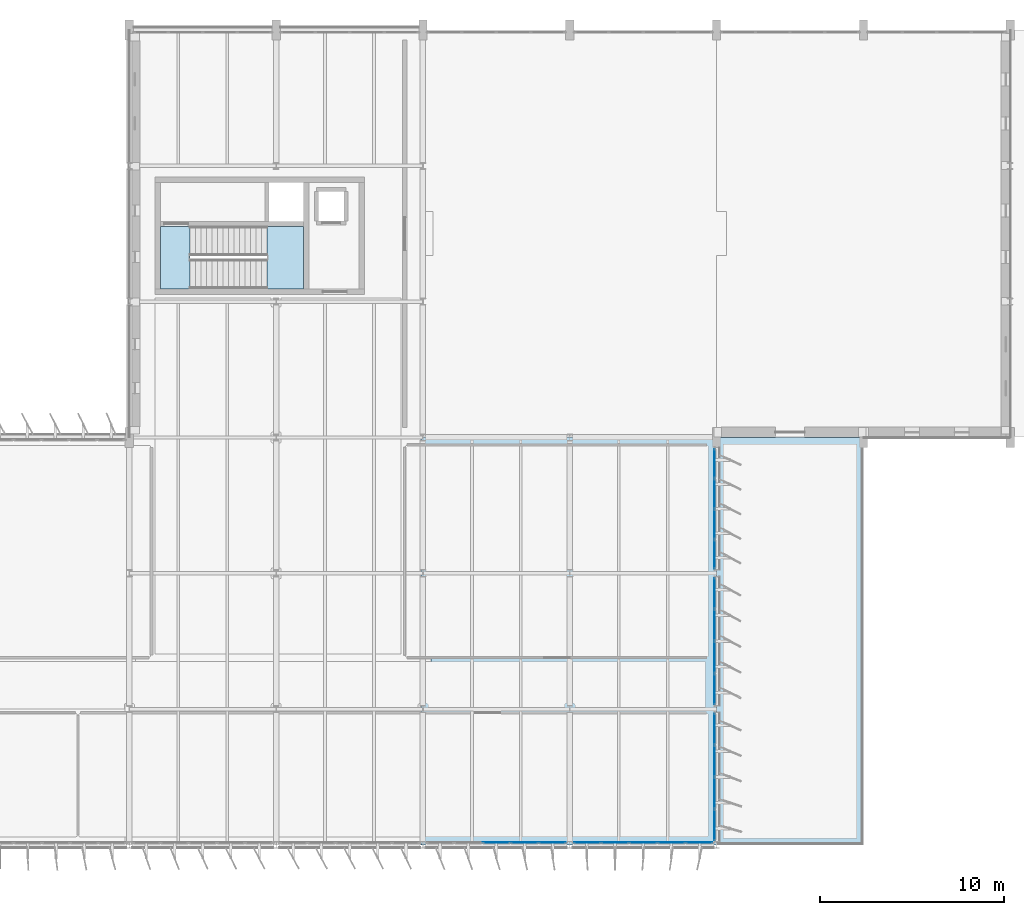
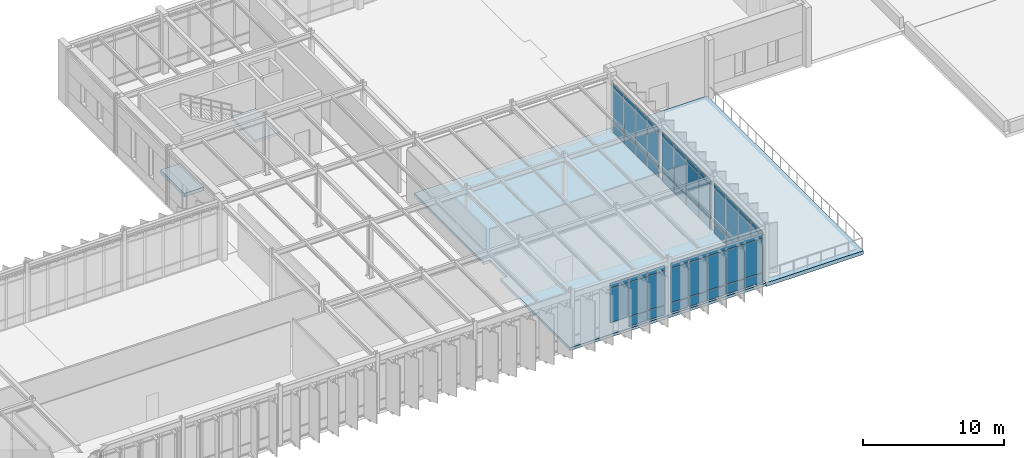
# One storey, part 31 of 48: 59 plates, 4 slabs, 6 elements without a shape of their own.
"""IFC4 building model written with IfcOpenShell, lengths in metres."""

import ifcopenshell
import ifcopenshell.guid

model = None  # the IFC model being written
_history = None  # IfcOwnerHistory: only IFC2X3 demands one
_inside = {}  # id of a spatial element -> (the spatial element, [elements in it])
_under = {}  # id of a project, library or spatial element -> (it, [spatial elements below it])
_declared = {}  # id of a project -> (the project, [libraries it declares])
_typed = {}  # id of a type object -> (the type object, [elements of that type])
_made_of = {}  # id of a material, layer set ... -> (it, [elements and type objects made of it])


def new_model(schema):
    """Start an empty IFC model of exactly this schema.

    Asked for "IFC4X3", IfcOpenShell would pick the latest addendum, in which some entities
    have other attributes; the version numbers below select the first issue.
    IFC2X3 requires an IfcOwnerHistory on every rooted entity: one is made here for all.
    """
    global model, _history
    if schema == "IFC4X3":
        model = ifcopenshell.file(schema_version=(4, 3, 0, 0))
    else:
        model = ifcopenshell.file(schema=schema)
    _inside.clear()
    _under.clear()
    _declared.clear()
    _typed.clear()
    _made_of.clear()
    _history = None
    if model.schema == "IFC2X3":
        org = make("IfcOrganization", Name="unknown")
        user = make(
            "IfcPersonAndOrganization",
            ThePerson=make("IfcPerson", FamilyName="unknown"),
            TheOrganization=org,
        )
        app = make(
            "IfcApplication",
            ApplicationDeveloper=org,
            Version="unknown",
            ApplicationFullName="unknown",
            ApplicationIdentifier="unknown",
        )
        _history = make(
            "IfcOwnerHistory",
            OwningUser=user,
            OwningApplication=app,
            ChangeAction="ADDED",
            CreationDate=0,
        )
    return model


def make(cls, **values):
    """One entity of the class cls with the attributes given. An attribute that is None is left unset."""
    return model.create_entity(
        cls, **{name: value for name, value in values.items() if value is not None}
    )


def rooted(cls, **values):
    """An entity with a GlobalId (a new one), such as an element, a storey or a relation."""
    return make(cls, GlobalId=ifcopenshell.guid.new(), OwnerHistory=_history, **values)


def si_unit(unit_type, name, prefix=None):
    """IfcSIUnit, for example si_unit("LENGTHUNIT", "METRE", prefix="MILLI")."""
    return make("IfcSIUnit", UnitType=unit_type, Prefix=prefix, Name=name)


def assignment(units):
    """IfcUnitAssignment: the units of a project."""
    return None if units is None else make("IfcUnitAssignment", Units=units)


def point(xyz):
    """IfcCartesianPoint."""
    return None if xyz is None else make("IfcCartesianPoint", Coordinates=xyz)


def direction(xyz):
    """IfcDirection."""
    return None if xyz is None else make("IfcDirection", DirectionRatios=xyz)


def frame(location, z_axis=None, x_axis=None):
    """IfcAxis2Placement3D, a coordinate frame: its origin and axes. An axis left out is left unset."""
    return make(
        "IfcAxis2Placement3D",
        Location=point(location),
        Axis=direction(z_axis),
        RefDirection=direction(x_axis),
    )


def frame_2d(location, x_axis=None):
    """IfcAxis2Placement2D, a coordinate frame in the plane: its origin and x axis."""
    return make(
        "IfcAxis2Placement2D", Location=point(location), RefDirection=direction(x_axis)
    )


def origin():
    """The frame at (0, 0, 0) with its axes left unset."""
    return frame((0.0, 0.0, 0.0))


def origin_2d():
    """The frame at (0, 0) in the plane with its x axis left unset."""
    return frame_2d((0.0, 0.0))


def place(relative_to, where):
    """IfcLocalPlacement: puts the frame where relative to a parent placement (None: the world)."""
    return make(
        "IfcLocalPlacement", PlacementRelTo=relative_to, RelativePlacement=where
    )


def context(
    kind, dimensions, precision=None, world=None, true_north=None, identifier=None
):
    """IfcGeometricRepresentationContext, for example the 3D "Model" context."""
    return make(
        "IfcGeometricRepresentationContext",
        ContextIdentifier=identifier,
        ContextType=kind,
        CoordinateSpaceDimension=dimensions,
        Precision=precision,
        WorldCoordinateSystem=world,
        TrueNorth=true_north,
    )


def subcontext(parent, identifier, kind, view, scale=None):
    """IfcGeometricRepresentationSubContext, for example "Body" below "Model"."""
    return make(
        "IfcGeometricRepresentationSubContext",
        ContextIdentifier=identifier,
        ContextType=kind,
        ParentContext=parent,
        TargetScale=scale,
        TargetView=view,
    )


def project(units=None, contexts=None):
    """IfcProject with its units and contexts."""
    return rooted(
        "IfcProject",
        Name="project",
        RepresentationContexts=contexts,
        UnitsInContext=assignment(units),
    )


def spatial(cls, under=None, at=None, **own):
    """A site, building, storey or space (cls), placed at a placement, below another one or the project."""
    s = rooted(cls, ObjectPlacement=at, **own)
    if under is not None:
        _under.setdefault(under.id(), (under, []))[1].append(s)
    return s


def polyline(points):
    """IfcPolyline through the points."""
    return make("IfcPolyline", Points=[point(p) for p in points])


def profile(cls, at=None, kind="AREA", **sizes):
    """A parametric profile (cls). Its sizes go by their IFC names, for example OverallWidth=200.0."""
    return make(cls, ProfileType=kind, Position=at, **sizes)


def rectangle(**sizes):
    """IfcRectangleProfileDef."""
    return profile("IfcRectangleProfileDef", **sizes)


def outline(outer, holes=None, kind="AREA"):
    """IfcArbitraryClosedProfileDef: a profile drawn as a closed curve; with holes, ...WithVoids."""
    if holes is None:
        return make("IfcArbitraryClosedProfileDef", ProfileType=kind, OuterCurve=outer)
    return make(
        "IfcArbitraryProfileDefWithVoids",
        ProfileType=kind,
        OuterCurve=outer,
        InnerCurves=holes,
    )


def extrude(swept, where, along, depth):
    """IfcExtrudedAreaSolid: the profile swept, set in the frame where, extruded along a direction by depth."""
    return make(
        "IfcExtrudedAreaSolid",
        SweptArea=swept,
        Position=where,
        ExtrudedDirection=direction(along),
        Depth=depth,
    )


def shape(context_of_items, identifier, shape_type, items):
    """IfcShapeRepresentation: the items that make up one representation, for example the "Body"."""
    return make(
        "IfcShapeRepresentation",
        ContextOfItems=context_of_items,
        RepresentationIdentifier=identifier,
        RepresentationType=shape_type,
        Items=items,
    )


def material(Name=None, Category=None):
    """IfcMaterial."""
    return make("IfcMaterial", Name=Name, Category=Category)


def layer(
    of_material, thickness, ventilated=None, Name=None, Category=None, Priority=None
):
    """IfcMaterialLayer: one layer of a wall or slab, of a material (None: an air gap)."""
    return make(
        "IfcMaterialLayer",
        Material=of_material,
        LayerThickness=thickness,
        IsVentilated=ventilated,
        Name=Name,
        Category=Category,
        Priority=Priority,
    )


def layer_set(layers, Name=None):
    """IfcMaterialLayerSet."""
    return make("IfcMaterialLayerSet", MaterialLayers=layers, LayerSetName=Name)


def made_of(thing, what):
    """Note that an element or type object is made of a material, layer set ...; save() writes the relation."""
    if what is not None:
        _made_of.setdefault(what.id(), (what, []))[1].append(thing)
    return thing


def type_object(cls, material=None, **own):
    """A type object (cls), such as IfcWallType, which elements share."""
    return made_of(rooted(cls, **own), material)


def element(
    cls,
    number,
    at=None,
    inside=None,
    cuts=None,
    type_object=None,
    material=None,
    context=None,
    identifier="Body",
    shape_type=None,
    held_by="IfcProductDefinitionShape",
    body=None,
    shapes=None,
    **own,
):
    """One element of the class cls, such as IfcWall. Its Tag is "e" and its number.

    at: its placement. inside: the storey or other place that contains it. cuts: it is an
    opening in that element (IfcRelVoidsElement). A single representation is given by context,
    identifier, shape_type and body (its items); several are given by shapes. held_by: the class
    of the entity that holds the representations. save() writes the other relations.
    """
    e = rooted(cls, Tag="e%d" % number, ObjectPlacement=at, **own)
    if body is not None:
        shapes = [shape(context, identifier, shape_type, body)]
    if shapes is not None:
        e.Representation = make(held_by, Representations=shapes)
    if inside is not None:
        _inside.setdefault(inside.id(), (inside, []))[1].append(e)
    if cuts is not None:
        rooted(
            "IfcRelVoidsElement", RelatingBuildingElement=cuts, RelatedOpeningElement=e
        )
    if type_object is not None:
        _typed.setdefault(type_object.id(), (type_object, []))[1].append(e)
    return made_of(e, material)


def aggregate(whole, parts):
    """IfcRelAggregates: a whole, such as a stair, and the parts it consists of."""
    return rooted("IfcRelAggregates", RelatingObject=whole, RelatedObjects=parts)


def save(model, path):
    """Write the relations noted so far, then the file.

    IfcRelAggregates (storeys below a building ...), IfcRelContainedInSpatialStructure (elements
    in a storey), IfcRelDefinesByType, IfcRelAssociatesMaterial and IfcRelDeclares: one each for
    every whole, place, type object, material and project.
    """
    for whole, parts in _under.values():
        aggregate(whole, parts)
    for where, things in _inside.values():
        rooted(
            "IfcRelContainedInSpatialStructure",
            RelatedElements=things,
            RelatingStructure=where,
        )
    for kind, things in _typed.values():
        rooted("IfcRelDefinesByType", RelatedObjects=things, RelatingType=kind)
    for what, things in _made_of.values():
        rooted("IfcRelAssociatesMaterial", RelatedObjects=things, RelatingMaterial=what)
    for by, libraries in _declared.values():
        rooted("IfcRelDeclares", RelatingContext=by, RelatedDefinitions=libraries)
    model.write(path)


model = new_model("IFC4")

# Units and contexts
model_context = context("Model", 3, precision=1e-05, world=origin(), true_north=direction((0.0, 1.0)))
body_context = subcontext(model_context, "Body", "Model", "MODEL_VIEW")
ifc_project = project(units=[si_unit("LENGTHUNIT", "METRE"), si_unit("AREAUNIT", "SQUARE_METRE"), si_unit("VOLUMEUNIT", "CUBIC_METRE"), si_unit("PLANEANGLEUNIT", "RADIAN"), si_unit("MASSUNIT", "GRAM", prefix="KILO")], contexts=[model_context])

# Site, building, storey
site_placement = place(None, origin())
site = spatial("IfcSite", under=ifc_project, at=site_placement, CompositionType="ELEMENT")
building_placement = place(site_placement, origin())
building = spatial("IfcBuilding", under=site, at=building_placement, Name="Valkorina Park Police Headquarters", CompositionType="ELEMENT")
storey_placement = place(building_placement, frame((0.0, 0.0, 18.10009765625)))
storey = spatial("IfcBuildingStorey", under=building, at=storey_placement, Name="L05", CompositionType="ELEMENT", Elevation=18.10009765625)

# Curtain wall, plates
ifc_material_1 = material(Name="Thermally broken aluminium AW-6060", Category="aluminium")
ifc_layer_1 = layer(ifc_material_1, 0.18994140625)
ifc_layer_set_1 = layer_set([ifc_layer_1], Name="Thermally broken aluminium AW-6060")
curtain_wall_type_1 = type_object("IfcCurtainWallType", Name="CW-V5-7680x4410", PredefinedType="NOTDEFINED", material=ifc_layer_set_1)
curtain_wall_1_placement = place(storey_placement, origin())
curtain_wall_1 = element("IfcCurtainWall", 1, at=curtain_wall_1_placement, inside=storey, type_object=curtain_wall_type_1, Name="L05 Unitised Curtain Wall 061", PredefinedType="NOTDEFINED")
ifc_layer_2 = layer(ifc_material_1, 0.050048828125)
ifc_layer_set_2 = layer_set([ifc_layer_2], Name="Thermally broken aluminium AW-6060")
plate_type_1 = type_object("IfcPlateType", Name="PL-CWP-SPANDREL-50", PredefinedType="CURTAIN_PANEL", material=ifc_layer_set_2)
plate_1_placement = place(storey_placement, frame((111.8544921875, 37.1201171875, 0.06982421875), z_axis=(0.0, 0.0, 1.0), x_axis=(-1.0, 0.0, 0.0)))
plate_1 = element("IfcPlate", 2, at=plate_1_placement, type_object=plate_type_1, Name="CW-V5-768-441 panel 1.1", PredefinedType="CURTAIN_PANEL", context=body_context, shape_type="SweptSolid", body=[
    extrude(rectangle(XDim=1.430908203125, YDim=0.028076171875, at=origin_2d()), origin(), (0.0, 0.0, 1.0), 0.794921875),
])
plate_2_placement = place(storey_placement, frame((110.3359375, 37.1201171875, 0.06982421875), z_axis=(0.0, 0.0, 1.0), x_axis=(-1.0, 0.0, 0.0)))
plate_2 = element("IfcPlate", 3, at=plate_2_placement, type_object=plate_type_1, Name="CW-V5-768-441 panel 2.1", PredefinedType="CURTAIN_PANEL", context=body_context, shape_type="SweptSolid", body=[
    extrude(rectangle(XDim=1.466064453125, YDim=0.028076171875, at=origin_2d()), origin(), (0.0, 0.0, 1.0), 0.794921875),
])
plate_3_placement = place(storey_placement, frame((108.800048828125, 37.1201171875, 0.06982421875), z_axis=(0.0, 0.0, 1.0), x_axis=(-1.0, 0.0, 0.0)))
plate_3 = element("IfcPlate", 4, at=plate_3_placement, type_object=plate_type_1, Name="CW-V5-768-441 panel 3.1", PredefinedType="CURTAIN_PANEL", context=body_context, shape_type="SweptSolid", body=[
    extrude(rectangle(XDim=1.466064453125, YDim=0.028076171875, at=origin_2d()), origin(), (0.0, 0.0, 1.0), 0.794921875),
])
plate_4_placement = place(storey_placement, frame((107.263916015625, 37.1201171875, 0.06982421875), z_axis=(0.0, 0.0, 1.0), x_axis=(-1.0, 0.0, 0.0)))
plate_4 = element("IfcPlate", 5, at=plate_4_placement, type_object=plate_type_1, Name="CW-V5-768-441 panel 4.1", PredefinedType="CURTAIN_PANEL", context=body_context, shape_type="SweptSolid", body=[
    extrude(rectangle(XDim=1.466064453125, YDim=0.028076171875, at=origin_2d()), origin(), (0.0, 0.0, 1.0), 0.794921875),
])
plate_5_placement = place(storey_placement, frame((105.74560546875, 37.1201171875, 0.06982421875), z_axis=(0.0, 0.0, 1.0), x_axis=(-1.0, 0.0, 0.0)))
plate_5 = element("IfcPlate", 6, at=plate_5_placement, type_object=plate_type_1, Name="CW-V5-768-441 panel 5.1", PredefinedType="CURTAIN_PANEL", context=body_context, shape_type="SweptSolid", body=[
    extrude(rectangle(XDim=1.430908203125, YDim=0.028076171875, at=origin_2d()), origin(), (0.0, 0.0, 1.0), 0.794921875),
])

curtain_wall_2_placement = place(storey_placement, origin())
curtain_wall_2 = element("IfcCurtainWall", 7, at=curtain_wall_2_placement, inside=storey, type_object=curtain_wall_type_1, Name="L05 Unitised Curtain Wall 062", PredefinedType="NOTDEFINED")
plate_6_placement = place(storey_placement, frame((103.8544921875, 37.1201171875, 0.06982421875), z_axis=(0.0, 0.0, 1.0), x_axis=(-1.0, 0.0, 0.0)))
plate_6 = element("IfcPlate", 8, at=plate_6_placement, type_object=plate_type_1, Name="CW-V5-768-441 panel 1.1", PredefinedType="CURTAIN_PANEL", context=body_context, shape_type="SweptSolid", body=[
    extrude(rectangle(XDim=1.430908203125, YDim=0.028076171875, at=origin_2d()), origin(), (0.0, 0.0, 1.0), 0.794921875),
])
plate_7_placement = place(storey_placement, frame((102.3359375, 37.1201171875, 0.06982421875), z_axis=(0.0, 0.0, 1.0), x_axis=(-1.0, 0.0, 0.0)))
plate_7 = element("IfcPlate", 9, at=plate_7_placement, type_object=plate_type_1, Name="CW-V5-768-441 panel 2.1", PredefinedType="CURTAIN_PANEL", context=body_context, shape_type="SweptSolid", body=[
    extrude(rectangle(XDim=1.466064453125, YDim=0.028076171875, at=origin_2d()), origin(), (0.0, 0.0, 1.0), 0.794921875),
])

ifc_layer_3 = layer(ifc_material_1, 0.18994140625)
ifc_layer_set_3 = layer_set([ifc_layer_3], Name="Thermally broken aluminium AW-6060")
curtain_wall_type_2 = type_object("IfcCurtainWallType", Name="CW-V5-6650x4410", PredefinedType="NOTDEFINED", material=ifc_layer_set_3)
curtain_wall_3_placement = place(storey_placement, origin())
curtain_wall_3 = element("IfcCurtainWall", 10, at=curtain_wall_3_placement, inside=storey, type_object=curtain_wall_type_2, Name="L05 Unitised Curtain Wall 094", PredefinedType="NOTDEFINED")
plate_8_placement = place(storey_placement, frame((112.679931640625, 57.791259765625, 0.06982421875), z_axis=(0.0, 0.0, 1.0), x_axis=(0.0, -1.0, 0.0)))
plate_8 = element("IfcPlate", 11, at=plate_8_placement, type_object=plate_type_1, Name="CW-V5-665-441 panel 1.1", PredefinedType="CURTAIN_PANEL", context=body_context, shape_type="SweptSolid", body=[
    extrude(rectangle(XDim=1.5576171875, YDim=0.028076171875, at=origin_2d()), origin(), (0.0, 0.0, 1.0), 0.794921875),
])
plate_9_placement = place(storey_placement, frame((112.679931640625, 56.146240234375, 0.06982421875), z_axis=(0.0, 0.0, 1.0), x_axis=(0.0, -1.0, 0.0)))
plate_9 = element("IfcPlate", 12, at=plate_9_placement, type_object=plate_type_1, Name="CW-V5-665-441 panel 2.1", PredefinedType="CURTAIN_PANEL", context=body_context, shape_type="SweptSolid", body=[
    extrude(rectangle(XDim=1.592529296875, YDim=0.028076171875, at=origin_2d()), origin(), (0.0, 0.0, 1.0), 0.794921875),
])
plate_10_placement = place(storey_placement, frame((112.679931640625, 54.483642578125, 0.06982421875), z_axis=(0.0, 0.0, 1.0), x_axis=(0.0, -1.0, 0.0)))
plate_10 = element("IfcPlate", 13, at=plate_10_placement, type_object=plate_type_1, Name="CW-V5-665-441 panel 3.1", PredefinedType="CURTAIN_PANEL", context=body_context, shape_type="SweptSolid", body=[
    extrude(rectangle(XDim=1.592529296875, YDim=0.028076171875, at=origin_2d()), origin(), (0.0, 0.0, 1.0), 0.794921875),
])
plate_11_placement = place(storey_placement, frame((112.679931640625, 52.8388671875, 0.06982421875), z_axis=(0.0, 0.0, 1.0), x_axis=(0.0, -1.0, 0.0)))
plate_11 = element("IfcPlate", 14, at=plate_11_placement, type_object=plate_type_1, Name="CW-V5-665-441 panel 4.1", PredefinedType="CURTAIN_PANEL", context=body_context, shape_type="SweptSolid", body=[
    extrude(rectangle(XDim=1.5576171875, YDim=0.028076171875, at=origin_2d()), origin(), (0.0, 0.0, 1.0), 0.794921875),
])

ifc_layer_4 = layer(ifc_material_1, 0.18994140625)
ifc_layer_set_4 = layer_set([ifc_layer_4], Name="Thermally broken aluminium AW-6060")
curtain_wall_type_3 = type_object("IfcCurtainWallType", Name="CW-V5-7020x4410", PredefinedType="NOTDEFINED", material=ifc_layer_set_4)
curtain_wall_4_placement = place(storey_placement, origin())
curtain_wall_4 = element("IfcCurtainWall", 15, at=curtain_wall_4_placement, inside=storey, type_object=curtain_wall_type_3, Name="L05 Unitised Curtain Wall 095", PredefinedType="NOTDEFINED")
plate_12_placement = place(storey_placement, frame((112.679931640625, 50.715087890625, 0.06982421875), z_axis=(0.0, 0.0, 1.0), x_axis=(0.0, -1.0, 0.0)))
plate_12 = element("IfcPlate", 16, at=plate_12_placement, type_object=plate_type_1, Name="CW-V5-702-441 panel 1.1", PredefinedType="CURTAIN_PANEL", context=body_context, shape_type="SweptSolid", body=[
    extrude(rectangle(XDim=1.64990234375, YDim=0.028076171875, at=origin_2d()), origin(), (0.0, 0.0, 1.0), 0.794921875),
])
plate_13_placement = place(storey_placement, frame((112.679931640625, 48.9775390625, 0.06982421875), z_axis=(0.0, 0.0, 1.0), x_axis=(0.0, -1.0, 0.0)))
plate_13 = element("IfcPlate", 17, at=plate_13_placement, type_object=plate_type_1, Name="CW-V5-702-441 panel 2.1", PredefinedType="CURTAIN_PANEL", context=body_context, shape_type="SweptSolid", body=[
    extrude(rectangle(XDim=1.68505859375, YDim=0.028076171875, at=origin_2d()), origin(), (0.0, 0.0, 1.0), 0.794921875),
])
plate_14_placement = place(storey_placement, frame((112.679931640625, 47.222412109375, 0.06982421875), z_axis=(0.0, 0.0, 1.0), x_axis=(0.0, -1.0, 0.0)))
plate_14 = element("IfcPlate", 18, at=plate_14_placement, type_object=plate_type_1, Name="CW-V5-702-441 panel 3.1", PredefinedType="CURTAIN_PANEL", context=body_context, shape_type="SweptSolid", body=[
    extrude(rectangle(XDim=1.68505859375, YDim=0.028076171875, at=origin_2d()), origin(), (0.0, 0.0, 1.0), 0.794921875),
])
plate_15_placement = place(storey_placement, frame((112.679931640625, 45.485107421875, 0.06982421875), z_axis=(0.0, 0.0, 1.0), x_axis=(0.0, -1.0, 0.0)))
plate_15 = element("IfcPlate", 19, at=plate_15_placement, type_object=plate_type_1, Name="CW-V5-702-441 panel 4.1", PredefinedType="CURTAIN_PANEL", context=body_context, shape_type="SweptSolid", body=[
    extrude(rectangle(XDim=1.64990234375, YDim=0.028076171875, at=origin_2d()), origin(), (0.0, 0.0, 1.0), 0.794921875),
])

curtain_wall_5_placement = place(storey_placement, origin())
curtain_wall_5 = element("IfcCurtainWall", 20, at=curtain_wall_5_placement, inside=storey, type_object=curtain_wall_type_3, Name="L05 Unitised Curtain Wall 096", PredefinedType="NOTDEFINED")
plate_16_placement = place(storey_placement, frame((112.679931640625, 43.31494140625, 0.06982421875), z_axis=(0.0, 0.0, 1.0), x_axis=(0.0, -1.0, 0.0)))
plate_16 = element("IfcPlate", 21, at=plate_16_placement, type_object=plate_type_1, Name="CW-V5-702-441 panel 1.1", PredefinedType="CURTAIN_PANEL", context=body_context, shape_type="SweptSolid", body=[
    extrude(rectangle(XDim=1.64990234375, YDim=0.028076171875, at=origin_2d()), origin(), (0.0, 0.0, 1.0), 0.794921875),
])
plate_17_placement = place(storey_placement, frame((112.679931640625, 41.577392578125, 0.06982421875), z_axis=(0.0, 0.0, 1.0), x_axis=(0.0, -1.0, 0.0)))
plate_17 = element("IfcPlate", 22, at=plate_17_placement, type_object=plate_type_1, Name="CW-V5-702-441 panel 2.1", PredefinedType="CURTAIN_PANEL", context=body_context, shape_type="SweptSolid", body=[
    extrude(rectangle(XDim=1.68505859375, YDim=0.028076171875, at=origin_2d()), origin(), (0.0, 0.0, 1.0), 0.794921875),
])
plate_18_placement = place(storey_placement, frame((112.679931640625, 39.822509765625, 0.06982421875), z_axis=(0.0, 0.0, 1.0), x_axis=(0.0, -1.0, 0.0)))
plate_18 = element("IfcPlate", 23, at=plate_18_placement, type_object=plate_type_1, Name="CW-V5-702-441 panel 3.1", PredefinedType="CURTAIN_PANEL", context=body_context, shape_type="SweptSolid", body=[
    extrude(rectangle(XDim=1.68505859375, YDim=0.028076171875, at=origin_2d()), origin(), (0.0, 0.0, 1.0), 0.794921875),
])
plate_19_placement = place(storey_placement, frame((112.679931640625, 38.0849609375, 0.06982421875), z_axis=(0.0, 0.0, 1.0), x_axis=(0.0, -1.0, 0.0)))
plate_19 = element("IfcPlate", 24, at=plate_19_placement, type_object=plate_type_1, Name="CW-V5-702-441 panel 4.1", PredefinedType="CURTAIN_PANEL", context=body_context, shape_type="SweptSolid", body=[
    extrude(rectangle(XDim=1.64990234375, YDim=0.028076171875, at=origin_2d()), origin(), (0.0, 0.0, 1.0), 0.794921875),
])

# Plate
ifc_material_2 = material(Name="Triple low-E insulated glazing", Category="glass")
ifc_layer_5 = layer(ifc_material_2, 0.028076171875)
ifc_layer_set_5 = layer_set([ifc_layer_5], Name="Triple low-E insulated glazing")
plate_type_2 = type_object("IfcPlateType", Name="PL-CWP-VISION-28", PredefinedType="CURTAIN_PANEL", material=ifc_layer_set_5)
plate_20_placement = place(storey_placement, frame((111.8544921875, 37.1201171875, 0.93505859375), z_axis=(0.0, 0.0, 1.0), x_axis=(-1.0, 0.0, 0.0)))
plate_20 = element("IfcPlate", 25, at=plate_20_placement, type_object=plate_type_2, Name="CW-V5-768-441 panel 1.2", PredefinedType="CURTAIN_PANEL", context=body_context, shape_type="SweptSolid", body=[
    extrude(rectangle(XDim=1.430908203125, YDim=0.028076171875, at=origin_2d()), origin(), (0.0, 0.0, 1.0), 2.919921875),
])

plate_21_placement = place(storey_placement, frame((111.8544921875, 37.1201171875, 3.9248046875), z_axis=(0.0, 0.0, 1.0), x_axis=(-1.0, 0.0, 0.0)))
plate_21 = element("IfcPlate", 26, at=plate_21_placement, type_object=plate_type_2, Name="CW-V5-768-441 panel 1.3", PredefinedType="CURTAIN_PANEL", context=body_context, shape_type="SweptSolid", body=[
    extrude(rectangle(XDim=1.430908203125, YDim=0.028076171875, at=origin_2d()), origin(), (0.0, 0.0, 1.0), 0.4150390625),
])

plate_22_placement = place(storey_placement, frame((110.3359375, 37.1201171875, 0.93505859375), z_axis=(0.0, 0.0, 1.0), x_axis=(-1.0, 0.0, 0.0)))
plate_22 = element("IfcPlate", 27, at=plate_22_placement, type_object=plate_type_2, Name="CW-V5-768-441 panel 2.2", PredefinedType="CURTAIN_PANEL", context=body_context, shape_type="SweptSolid", body=[
    extrude(rectangle(XDim=1.466064453125, YDim=0.028076171875, at=origin_2d()), origin(), (0.0, 0.0, 1.0), 2.919921875),
])

plate_23_placement = place(storey_placement, frame((110.3359375, 37.1201171875, 3.9248046875), z_axis=(0.0, 0.0, 1.0), x_axis=(-1.0, 0.0, 0.0)))
plate_23 = element("IfcPlate", 28, at=plate_23_placement, type_object=plate_type_2, Name="CW-V5-768-441 panel 2.3", PredefinedType="CURTAIN_PANEL", context=body_context, shape_type="SweptSolid", body=[
    extrude(rectangle(XDim=1.466064453125, YDim=0.028076171875, at=origin_2d()), origin(), (0.0, 0.0, 1.0), 0.4150390625),
])

plate_24_placement = place(storey_placement, frame((108.800048828125, 37.1201171875, 0.93505859375), z_axis=(0.0, 0.0, 1.0), x_axis=(-1.0, 0.0, 0.0)))
plate_24 = element("IfcPlate", 29, at=plate_24_placement, type_object=plate_type_2, Name="CW-V5-768-441 panel 3.2", PredefinedType="CURTAIN_PANEL", context=body_context, shape_type="SweptSolid", body=[
    extrude(rectangle(XDim=1.466064453125, YDim=0.028076171875, at=origin_2d()), origin(), (0.0, 0.0, 1.0), 2.919921875),
])

plate_25_placement = place(storey_placement, frame((108.800048828125, 37.1201171875, 3.9248046875), z_axis=(0.0, 0.0, 1.0), x_axis=(-1.0, 0.0, 0.0)))
plate_25 = element("IfcPlate", 30, at=plate_25_placement, type_object=plate_type_2, Name="CW-V5-768-441 panel 3.3", PredefinedType="CURTAIN_PANEL", context=body_context, shape_type="SweptSolid", body=[
    extrude(rectangle(XDim=1.466064453125, YDim=0.028076171875, at=origin_2d()), origin(), (0.0, 0.0, 1.0), 0.4150390625),
])

plate_26_placement = place(storey_placement, frame((107.263916015625, 37.1201171875, 0.93505859375), z_axis=(0.0, 0.0, 1.0), x_axis=(-1.0, 0.0, 0.0)))
plate_26 = element("IfcPlate", 31, at=plate_26_placement, type_object=plate_type_2, Name="CW-V5-768-441 panel 4.2", PredefinedType="CURTAIN_PANEL", context=body_context, shape_type="SweptSolid", body=[
    extrude(rectangle(XDim=1.466064453125, YDim=0.028076171875, at=origin_2d()), origin(), (0.0, 0.0, 1.0), 2.919921875),
])

plate_27_placement = place(storey_placement, frame((107.263916015625, 37.1201171875, 3.9248046875), z_axis=(0.0, 0.0, 1.0), x_axis=(-1.0, 0.0, 0.0)))
plate_27 = element("IfcPlate", 32, at=plate_27_placement, type_object=plate_type_2, Name="CW-V5-768-441 panel 4.3", PredefinedType="CURTAIN_PANEL", context=body_context, shape_type="SweptSolid", body=[
    extrude(rectangle(XDim=1.466064453125, YDim=0.028076171875, at=origin_2d()), origin(), (0.0, 0.0, 1.0), 0.4150390625),
])

plate_28_placement = place(storey_placement, frame((105.74560546875, 37.1201171875, 0.93505859375), z_axis=(0.0, 0.0, 1.0), x_axis=(-1.0, 0.0, 0.0)))
plate_28 = element("IfcPlate", 33, at=plate_28_placement, type_object=plate_type_2, Name="CW-V5-768-441 panel 5.2", PredefinedType="CURTAIN_PANEL", context=body_context, shape_type="SweptSolid", body=[
    extrude(rectangle(XDim=1.430908203125, YDim=0.028076171875, at=origin_2d()), origin(), (0.0, 0.0, 1.0), 2.919921875),
])

plate_29_placement = place(storey_placement, frame((105.74560546875, 37.1201171875, 3.9248046875), z_axis=(0.0, 0.0, 1.0), x_axis=(-1.0, 0.0, 0.0)))
plate_29 = element("IfcPlate", 34, at=plate_29_placement, type_object=plate_type_2, Name="CW-V5-768-441 panel 5.3", PredefinedType="CURTAIN_PANEL", context=body_context, shape_type="SweptSolid", body=[
    extrude(rectangle(XDim=1.430908203125, YDim=0.028076171875, at=origin_2d()), origin(), (0.0, 0.0, 1.0), 0.4150390625),
])

aggregate(curtain_wall_1, [plate_1, plate_20, plate_21, plate_2, plate_22, plate_23, plate_3, plate_24, plate_25, plate_4, plate_26, plate_27, plate_5, plate_28, plate_29])

plate_30_placement = place(storey_placement, frame((103.8544921875, 37.1201171875, 0.93505859375), z_axis=(0.0, 0.0, 1.0), x_axis=(-1.0, 0.0, 0.0)))
plate_30 = element("IfcPlate", 35, at=plate_30_placement, type_object=plate_type_2, Name="CW-V5-768-441 panel 1.2", PredefinedType="CURTAIN_PANEL", context=body_context, shape_type="SweptSolid", body=[
    extrude(rectangle(XDim=1.430908203125, YDim=0.028076171875, at=origin_2d()), origin(), (0.0, 0.0, 1.0), 2.919921875),
])

plate_31_placement = place(storey_placement, frame((103.8544921875, 37.1201171875, 3.9248046875), z_axis=(0.0, 0.0, 1.0), x_axis=(-1.0, 0.0, 0.0)))
plate_31 = element("IfcPlate", 36, at=plate_31_placement, type_object=plate_type_2, Name="CW-V5-768-441 panel 1.3", PredefinedType="CURTAIN_PANEL", context=body_context, shape_type="SweptSolid", body=[
    extrude(rectangle(XDim=1.430908203125, YDim=0.028076171875, at=origin_2d()), origin(), (0.0, 0.0, 1.0), 0.4150390625),
])

plate_32_placement = place(storey_placement, frame((102.3359375, 37.1201171875, 0.93505859375), z_axis=(0.0, 0.0, 1.0), x_axis=(-1.0, 0.0, 0.0)))
plate_32 = element("IfcPlate", 37, at=plate_32_placement, type_object=plate_type_2, Name="CW-V5-768-441 panel 2.2", PredefinedType="CURTAIN_PANEL", context=body_context, shape_type="SweptSolid", body=[
    extrude(rectangle(XDim=1.466064453125, YDim=0.028076171875, at=origin_2d()), origin(), (0.0, 0.0, 1.0), 2.919921875),
])

plate_33_placement = place(storey_placement, frame((102.3359375, 37.1201171875, 3.9248046875), z_axis=(0.0, 0.0, 1.0), x_axis=(-1.0, 0.0, 0.0)))
plate_33 = element("IfcPlate", 38, at=plate_33_placement, type_object=plate_type_2, Name="CW-V5-768-441 panel 2.3", PredefinedType="CURTAIN_PANEL", context=body_context, shape_type="SweptSolid", body=[
    extrude(rectangle(XDim=1.466064453125, YDim=0.028076171875, at=origin_2d()), origin(), (0.0, 0.0, 1.0), 0.4150390625),
])

plate_34_placement = place(storey_placement, frame((100.800048828125, 37.1201171875, 0.93505859375), z_axis=(0.0, 0.0, 1.0), x_axis=(-1.0, 0.0, 0.0)))
plate_34 = element("IfcPlate", 39, at=plate_34_placement, type_object=plate_type_2, Name="CW-V5-768-441 panel 3.2", PredefinedType="CURTAIN_PANEL", context=body_context, shape_type="SweptSolid", body=[
    extrude(rectangle(XDim=1.466064453125, YDim=0.028076171875, at=origin_2d()), origin(), (0.0, 0.0, 1.0), 2.919921875),
])

plate_35_placement = place(storey_placement, frame((100.800048828125, 37.1201171875, 3.9248046875), z_axis=(0.0, 0.0, 1.0), x_axis=(-1.0, 0.0, 0.0)))
plate_35 = element("IfcPlate", 40, at=plate_35_placement, type_object=plate_type_2, Name="CW-V5-768-441 panel 3.3", PredefinedType="CURTAIN_PANEL", context=body_context, shape_type="SweptSolid", body=[
    extrude(rectangle(XDim=1.466064453125, YDim=0.028076171875, at=origin_2d()), origin(), (0.0, 0.0, 1.0), 0.4150390625),
])

aggregate(curtain_wall_2, [plate_6, plate_30, plate_31, plate_7, plate_32, plate_33, plate_34, plate_35])

plate_36_placement = place(storey_placement, frame((112.679931640625, 57.791259765625, 0.93505859375), z_axis=(0.0, 0.0, 1.0), x_axis=(0.0, -1.0, 0.0)))
plate_36 = element("IfcPlate", 41, at=plate_36_placement, type_object=plate_type_2, Name="CW-V5-665-441 panel 1.2", PredefinedType="CURTAIN_PANEL", context=body_context, shape_type="SweptSolid", body=[
    extrude(rectangle(XDim=1.5576171875, YDim=0.028076171875, at=origin_2d()), origin(), (0.0, 0.0, 1.0), 2.919921875),
])

plate_37_placement = place(storey_placement, frame((112.679931640625, 57.791259765625, 3.9248046875), z_axis=(0.0, 0.0, 1.0), x_axis=(0.0, -1.0, 0.0)))
plate_37 = element("IfcPlate", 42, at=plate_37_placement, type_object=plate_type_2, Name="CW-V5-665-441 panel 1.3", PredefinedType="CURTAIN_PANEL", context=body_context, shape_type="SweptSolid", body=[
    extrude(rectangle(XDim=1.5576171875, YDim=0.028076171875, at=origin_2d()), origin(), (0.0, 0.0, 1.0), 0.4150390625),
])

plate_38_placement = place(storey_placement, frame((112.679931640625, 56.146240234375, 0.93505859375), z_axis=(0.0, 0.0, 1.0), x_axis=(0.0, -1.0, 0.0)))
plate_38 = element("IfcPlate", 43, at=plate_38_placement, type_object=plate_type_2, Name="CW-V5-665-441 panel 2.2", PredefinedType="CURTAIN_PANEL", context=body_context, shape_type="SweptSolid", body=[
    extrude(rectangle(XDim=1.592529296875, YDim=0.028076171875, at=origin_2d()), origin(), (0.0, 0.0, 1.0), 2.919921875),
])

plate_39_placement = place(storey_placement, frame((112.679931640625, 56.146240234375, 3.9248046875), z_axis=(0.0, 0.0, 1.0), x_axis=(0.0, -1.0, 0.0)))
plate_39 = element("IfcPlate", 44, at=plate_39_placement, type_object=plate_type_2, Name="CW-V5-665-441 panel 2.3", PredefinedType="CURTAIN_PANEL", context=body_context, shape_type="SweptSolid", body=[
    extrude(rectangle(XDim=1.592529296875, YDim=0.028076171875, at=origin_2d()), origin(), (0.0, 0.0, 1.0), 0.4150390625),
])

plate_40_placement = place(storey_placement, frame((112.679931640625, 54.483642578125, 0.93505859375), z_axis=(0.0, 0.0, 1.0), x_axis=(0.0, -1.0, 0.0)))
plate_40 = element("IfcPlate", 45, at=plate_40_placement, type_object=plate_type_2, Name="CW-V5-665-441 panel 3.2", PredefinedType="CURTAIN_PANEL", context=body_context, shape_type="SweptSolid", body=[
    extrude(rectangle(XDim=1.592529296875, YDim=0.028076171875, at=origin_2d()), origin(), (0.0, 0.0, 1.0), 2.919921875),
])

plate_41_placement = place(storey_placement, frame((112.679931640625, 54.483642578125, 3.9248046875), z_axis=(0.0, 0.0, 1.0), x_axis=(0.0, -1.0, 0.0)))
plate_41 = element("IfcPlate", 46, at=plate_41_placement, type_object=plate_type_2, Name="CW-V5-665-441 panel 3.3", PredefinedType="CURTAIN_PANEL", context=body_context, shape_type="SweptSolid", body=[
    extrude(rectangle(XDim=1.592529296875, YDim=0.028076171875, at=origin_2d()), origin(), (0.0, 0.0, 1.0), 0.4150390625),
])

plate_42_placement = place(storey_placement, frame((112.679931640625, 52.8388671875, 0.93505859375), z_axis=(0.0, 0.0, 1.0), x_axis=(0.0, -1.0, 0.0)))
plate_42 = element("IfcPlate", 47, at=plate_42_placement, type_object=plate_type_2, Name="CW-V5-665-441 panel 4.2", PredefinedType="CURTAIN_PANEL", context=body_context, shape_type="SweptSolid", body=[
    extrude(rectangle(XDim=1.5576171875, YDim=0.028076171875, at=origin_2d()), origin(), (0.0, 0.0, 1.0), 2.919921875),
])

plate_43_placement = place(storey_placement, frame((112.679931640625, 52.8388671875, 3.9248046875), z_axis=(0.0, 0.0, 1.0), x_axis=(0.0, -1.0, 0.0)))
plate_43 = element("IfcPlate", 48, at=plate_43_placement, type_object=plate_type_2, Name="CW-V5-665-441 panel 4.3", PredefinedType="CURTAIN_PANEL", context=body_context, shape_type="SweptSolid", body=[
    extrude(rectangle(XDim=1.5576171875, YDim=0.028076171875, at=origin_2d()), origin(), (0.0, 0.0, 1.0), 0.4150390625),
])

aggregate(curtain_wall_3, [plate_8, plate_36, plate_37, plate_9, plate_38, plate_39, plate_10, plate_40, plate_41, plate_11, plate_42, plate_43])

plate_44_placement = place(storey_placement, frame((112.679931640625, 50.715087890625, 0.93505859375), z_axis=(0.0, 0.0, 1.0), x_axis=(0.0, -1.0, 0.0)))
plate_44 = element("IfcPlate", 49, at=plate_44_placement, type_object=plate_type_2, Name="CW-V5-702-441 panel 1.2", PredefinedType="CURTAIN_PANEL", context=body_context, shape_type="SweptSolid", body=[
    extrude(rectangle(XDim=1.64990234375, YDim=0.028076171875, at=origin_2d()), origin(), (0.0, 0.0, 1.0), 2.919921875),
])

plate_45_placement = place(storey_placement, frame((112.679931640625, 50.715087890625, 3.9248046875), z_axis=(0.0, 0.0, 1.0), x_axis=(0.0, -1.0, 0.0)))
plate_45 = element("IfcPlate", 50, at=plate_45_placement, type_object=plate_type_2, Name="CW-V5-702-441 panel 1.3", PredefinedType="CURTAIN_PANEL", context=body_context, shape_type="SweptSolid", body=[
    extrude(rectangle(XDim=1.64990234375, YDim=0.028076171875, at=origin_2d()), origin(), (0.0, 0.0, 1.0), 0.4150390625),
])

plate_46_placement = place(storey_placement, frame((112.679931640625, 48.9775390625, 0.93505859375), z_axis=(0.0, 0.0, 1.0), x_axis=(0.0, -1.0, 0.0)))
plate_46 = element("IfcPlate", 51, at=plate_46_placement, type_object=plate_type_2, Name="CW-V5-702-441 panel 2.2", PredefinedType="CURTAIN_PANEL", context=body_context, shape_type="SweptSolid", body=[
    extrude(rectangle(XDim=1.68505859375, YDim=0.028076171875, at=origin_2d()), origin(), (0.0, 0.0, 1.0), 2.919921875),
])

plate_47_placement = place(storey_placement, frame((112.679931640625, 48.9775390625, 3.9248046875), z_axis=(0.0, 0.0, 1.0), x_axis=(0.0, -1.0, 0.0)))
plate_47 = element("IfcPlate", 52, at=plate_47_placement, type_object=plate_type_2, Name="CW-V5-702-441 panel 2.3", PredefinedType="CURTAIN_PANEL", context=body_context, shape_type="SweptSolid", body=[
    extrude(rectangle(XDim=1.68505859375, YDim=0.028076171875, at=origin_2d()), origin(), (0.0, 0.0, 1.0), 0.4150390625),
])

plate_48_placement = place(storey_placement, frame((112.679931640625, 47.222412109375, 0.93505859375), z_axis=(0.0, 0.0, 1.0), x_axis=(0.0, -1.0, 0.0)))
plate_48 = element("IfcPlate", 53, at=plate_48_placement, type_object=plate_type_2, Name="CW-V5-702-441 panel 3.2", PredefinedType="CURTAIN_PANEL", context=body_context, shape_type="SweptSolid", body=[
    extrude(rectangle(XDim=1.68505859375, YDim=0.028076171875, at=origin_2d()), origin(), (0.0, 0.0, 1.0), 2.919921875),
])

plate_49_placement = place(storey_placement, frame((112.679931640625, 47.222412109375, 3.9248046875), z_axis=(0.0, 0.0, 1.0), x_axis=(0.0, -1.0, 0.0)))
plate_49 = element("IfcPlate", 54, at=plate_49_placement, type_object=plate_type_2, Name="CW-V5-702-441 panel 3.3", PredefinedType="CURTAIN_PANEL", context=body_context, shape_type="SweptSolid", body=[
    extrude(rectangle(XDim=1.68505859375, YDim=0.028076171875, at=origin_2d()), origin(), (0.0, 0.0, 1.0), 0.4150390625),
])

plate_50_placement = place(storey_placement, frame((112.679931640625, 45.485107421875, 0.93505859375), z_axis=(0.0, 0.0, 1.0), x_axis=(0.0, -1.0, 0.0)))
plate_50 = element("IfcPlate", 55, at=plate_50_placement, type_object=plate_type_2, Name="CW-V5-702-441 panel 4.2", PredefinedType="CURTAIN_PANEL", context=body_context, shape_type="SweptSolid", body=[
    extrude(rectangle(XDim=1.64990234375, YDim=0.028076171875, at=origin_2d()), origin(), (0.0, 0.0, 1.0), 2.919921875),
])

plate_51_placement = place(storey_placement, frame((112.679931640625, 45.485107421875, 3.9248046875), z_axis=(0.0, 0.0, 1.0), x_axis=(0.0, -1.0, 0.0)))
plate_51 = element("IfcPlate", 56, at=plate_51_placement, type_object=plate_type_2, Name="CW-V5-702-441 panel 4.3", PredefinedType="CURTAIN_PANEL", context=body_context, shape_type="SweptSolid", body=[
    extrude(rectangle(XDim=1.64990234375, YDim=0.028076171875, at=origin_2d()), origin(), (0.0, 0.0, 1.0), 0.4150390625),
])

aggregate(curtain_wall_4, [plate_12, plate_44, plate_45, plate_13, plate_46, plate_47, plate_14, plate_48, plate_49, plate_15, plate_50, plate_51])

plate_52_placement = place(storey_placement, frame((112.679931640625, 43.31494140625, 0.93505859375), z_axis=(0.0, 0.0, 1.0), x_axis=(0.0, -1.0, 0.0)))
plate_52 = element("IfcPlate", 57, at=plate_52_placement, type_object=plate_type_2, Name="CW-V5-702-441 panel 1.2", PredefinedType="CURTAIN_PANEL", context=body_context, shape_type="SweptSolid", body=[
    extrude(rectangle(XDim=1.64990234375, YDim=0.028076171875, at=origin_2d()), origin(), (0.0, 0.0, 1.0), 2.919921875),
])

plate_53_placement = place(storey_placement, frame((112.679931640625, 43.31494140625, 3.9248046875), z_axis=(0.0, 0.0, 1.0), x_axis=(0.0, -1.0, 0.0)))
plate_53 = element("IfcPlate", 58, at=plate_53_placement, type_object=plate_type_2, Name="CW-V5-702-441 panel 1.3", PredefinedType="CURTAIN_PANEL", context=body_context, shape_type="SweptSolid", body=[
    extrude(rectangle(XDim=1.64990234375, YDim=0.028076171875, at=origin_2d()), origin(), (0.0, 0.0, 1.0), 0.4150390625),
])

plate_54_placement = place(storey_placement, frame((112.679931640625, 41.577392578125, 0.93505859375), z_axis=(0.0, 0.0, 1.0), x_axis=(0.0, -1.0, 0.0)))
plate_54 = element("IfcPlate", 59, at=plate_54_placement, type_object=plate_type_2, Name="CW-V5-702-441 panel 2.2", PredefinedType="CURTAIN_PANEL", context=body_context, shape_type="SweptSolid", body=[
    extrude(rectangle(XDim=1.68505859375, YDim=0.028076171875, at=origin_2d()), origin(), (0.0, 0.0, 1.0), 2.919921875),
])

plate_55_placement = place(storey_placement, frame((112.679931640625, 41.577392578125, 3.9248046875), z_axis=(0.0, 0.0, 1.0), x_axis=(0.0, -1.0, 0.0)))
plate_55 = element("IfcPlate", 60, at=plate_55_placement, type_object=plate_type_2, Name="CW-V5-702-441 panel 2.3", PredefinedType="CURTAIN_PANEL", context=body_context, shape_type="SweptSolid", body=[
    extrude(rectangle(XDim=1.68505859375, YDim=0.028076171875, at=origin_2d()), origin(), (0.0, 0.0, 1.0), 0.4150390625),
])

plate_56_placement = place(storey_placement, frame((112.679931640625, 39.822509765625, 0.93505859375), z_axis=(0.0, 0.0, 1.0), x_axis=(0.0, -1.0, 0.0)))
plate_56 = element("IfcPlate", 61, at=plate_56_placement, type_object=plate_type_2, Name="CW-V5-702-441 panel 3.2", PredefinedType="CURTAIN_PANEL", context=body_context, shape_type="SweptSolid", body=[
    extrude(rectangle(XDim=1.68505859375, YDim=0.028076171875, at=origin_2d()), origin(), (0.0, 0.0, 1.0), 2.919921875),
])

plate_57_placement = place(storey_placement, frame((112.679931640625, 39.822509765625, 3.9248046875), z_axis=(0.0, 0.0, 1.0), x_axis=(0.0, -1.0, 0.0)))
plate_57 = element("IfcPlate", 62, at=plate_57_placement, type_object=plate_type_2, Name="CW-V5-702-441 panel 3.3", PredefinedType="CURTAIN_PANEL", context=body_context, shape_type="SweptSolid", body=[
    extrude(rectangle(XDim=1.68505859375, YDim=0.028076171875, at=origin_2d()), origin(), (0.0, 0.0, 1.0), 0.4150390625),
])

plate_58_placement = place(storey_placement, frame((112.679931640625, 38.0849609375, 0.93505859375), z_axis=(0.0, 0.0, 1.0), x_axis=(0.0, -1.0, 0.0)))
plate_58 = element("IfcPlate", 63, at=plate_58_placement, type_object=plate_type_2, Name="CW-V5-702-441 panel 4.2", PredefinedType="CURTAIN_PANEL", context=body_context, shape_type="SweptSolid", body=[
    extrude(rectangle(XDim=1.64990234375, YDim=0.028076171875, at=origin_2d()), origin(), (0.0, 0.0, 1.0), 2.919921875),
])

plate_59_placement = place(storey_placement, frame((112.679931640625, 38.0849609375, 3.9248046875), z_axis=(0.0, 0.0, 1.0), x_axis=(0.0, -1.0, 0.0)))
plate_59 = element("IfcPlate", 64, at=plate_59_placement, type_object=plate_type_2, Name="CW-V5-702-441 panel 4.3", PredefinedType="CURTAIN_PANEL", context=body_context, shape_type="SweptSolid", body=[
    extrude(rectangle(XDim=1.64990234375, YDim=0.028076171875, at=origin_2d()), origin(), (0.0, 0.0, 1.0), 0.4150390625),
])

aggregate(curtain_wall_5, [plate_16, plate_52, plate_53, plate_17, plate_54, plate_55, plate_18, plate_56, plate_57, plate_19, plate_58, plate_59])

# Slab
ifc_material_3 = material(Name="Concrete C35/45", Category="concrete")
ifc_layer_6 = layer(ifc_material_3, 0.2451171875)
ifc_layer_set_6 = layer_set([ifc_layer_6], Name="Concrete C35/45")
slab_type_1 = type_object("IfcSlabType", Name="SL-COMP-LAB-170", PredefinedType="FLOOR", material=ifc_layer_set_6)
slab_1_placement = place(storey_placement, frame((0.0, 0.0, -0.2451171875)))
element("IfcSlab", 65, at=slab_1_placement, inside=storey, type_object=slab_type_1, Name="L05 Structural Floor Slab 95", PredefinedType="FLOOR", context=body_context, shape_type="SweptSolid", body=[
    extrude(outline(polyline([(96.685791015625, 59.19189453125), (96.685791015625, 49.2958984375), (97.235595703125, 49.2958984375), (97.235595703125, 46.89599609375), (96.685791015625, 46.89599609375), (96.685791015625, 37.0), (112.800048828125, 37.0), (112.800048828125, 59.19189453125), (96.685791015625, 59.19189453125)])), origin(), (0.0, 0.0, 1.0), 0.2451171875),
])

# Stair, slab
stair_type = type_object("IfcStairType", Name="ST-DOGLEG-160-52", PredefinedType="HALF_TURN_STAIR", material=ifc_material_3)
stair_placement = place(storey_placement, origin())
stair = element("IfcStair", 66, at=stair_placement, inside=storey, type_object=stair_type, Name="L05 Core C6 Protected Stair (ST-06)", PredefinedType="HALF_TURN_STAIR")
ifc_layer_7 = layer(ifc_material_3, 0.22998046875)
ifc_layer_set_7 = layer_set([ifc_layer_7], Name="Concrete C35/45")
slab_type_2 = type_object("IfcSlabType", Name="SL-LANDING-230", PredefinedType="LANDING", material=ifc_layer_set_7)
slab_2_placement = place(storey_placement, frame((0.0, 0.0, 2.369873046875)))
slab_2 = element("IfcSlab", 67, at=slab_2_placement, type_object=slab_type_2, Name="ST-06 landing 1", PredefinedType="LANDING", context=body_context, shape_type="SweptSolid", body=[
    extrude(outline(polyline([(88.300048828125, 67.300048828125), (90.300048828125, 67.300048828125), (90.300048828125, 70.699951171875), (88.300048828125, 70.699951171875), (88.300048828125, 67.300048828125)])), origin(), (0.0, 0.0, 1.0), 0.22998046875),
])
aggregate(stair, [slab_2])

# Slabs
ifc_layer_8 = layer(ifc_material_3, 0.330078125)
ifc_layer_set_8 = layer_set([ifc_layer_8], Name="Concrete C35/45")
slab_type_3 = type_object("IfcSlabType", Name="SL-TERRACE-EXT-350", PredefinedType="FLOOR", material=ifc_layer_set_8)
slab_3_placement = place(storey_placement, frame((0.0, 0.0, -0.330078125)))
element("IfcSlab", 68, at=slab_3_placement, inside=storey, type_object=slab_type_3, Name="L05 Operations East Planted Terrace", PredefinedType="FLOOR", context=body_context, shape_type="SweptSolid", body=[
    extrude(outline(polyline([(120.800048828125, 59.19189453125), (112.800048828125, 59.19189453125), (112.800048828125, 37.0), (120.800048828125, 37.0), (120.800048828125, 59.19189453125)])), origin(), (0.0, 0.0, 1.0), 0.330078125),
])
ifc_material_4 = material(Name="Concrete C40/50", Category="concrete")
ifc_layer_9 = layer(ifc_material_4, 0.300048828125)
ifc_layer_set_9 = layer_set([ifc_layer_9], Name="Concrete C40/50")
slab_type_4 = type_object("IfcSlabType", Name="SL-VAULT-300", PredefinedType="FLOOR", material=ifc_layer_set_9)
slab_4_placement = place(storey_placement, frame((0.0, 0.0, -0.300048828125)))
element("IfcSlab", 69, at=slab_4_placement, inside=storey, type_object=slab_type_4, Name="L05 Core C6 Structural Floor Landing Slab", PredefinedType="FLOOR", context=body_context, shape_type="SweptSolid", body=[
    extrude(outline(polyline([(82.5, 67.300048828125), (84.10009765625, 67.300048828125), (84.10009765625, 70.699951171875), (82.5, 70.699951171875), (82.5, 67.300048828125)])), origin(), (0.0, 0.0, 1.0), 0.300048828125),
])

save(model, "model.ifc")
